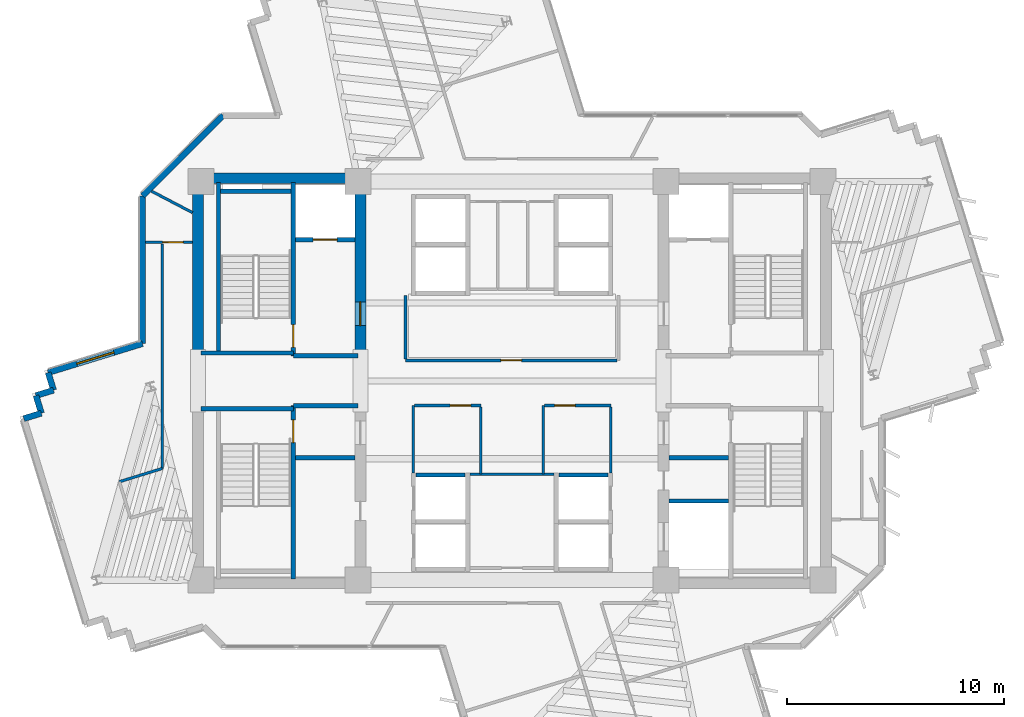
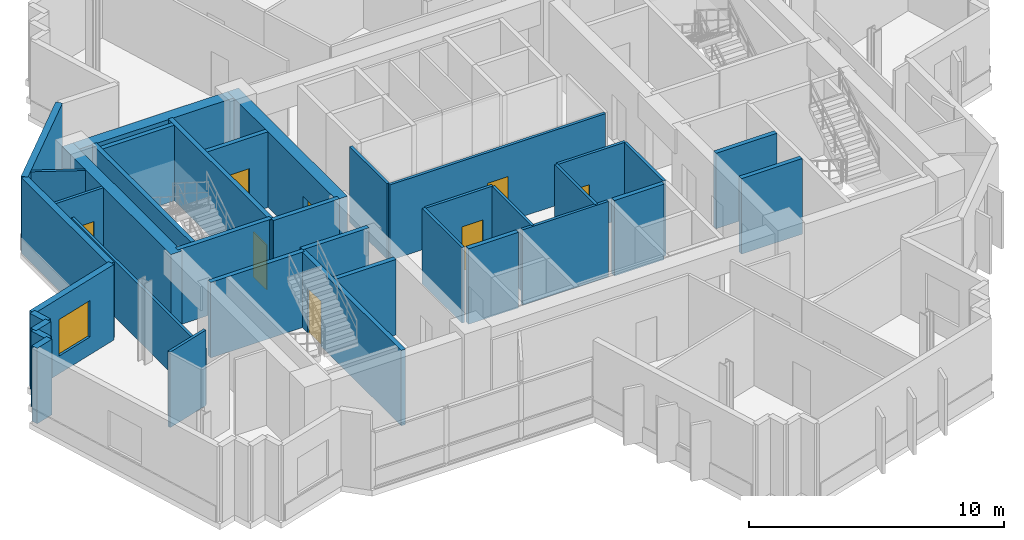
# One storey, part 6 of 13: 37 walls, 8 doors, 1 window, 9 openings.
"""IFC4 building model written with IfcOpenShell, lengths in metres."""

import ifcopenshell
import ifcopenshell.guid

model = None  # the IFC model being written
_history = None  # IfcOwnerHistory: only IFC2X3 demands one
_inside = {}  # id of a spatial element -> (the spatial element, [elements in it])
_under = {}  # id of a project, library or spatial element -> (it, [spatial elements below it])
_declared = {}  # id of a project -> (the project, [libraries it declares])
_typed = {}  # id of a type object -> (the type object, [elements of that type])
_made_of = {}  # id of a material, layer set ... -> (it, [elements and type objects made of it])


def new_model(schema):
    """Start an empty IFC model of exactly this schema.

    Asked for "IFC4X3", IfcOpenShell would pick the latest addendum, in which some entities
    have other attributes; the version numbers below select the first issue.
    IFC2X3 requires an IfcOwnerHistory on every rooted entity: one is made here for all.
    """
    global model, _history
    if schema == "IFC4X3":
        model = ifcopenshell.file(schema_version=(4, 3, 0, 0))
    else:
        model = ifcopenshell.file(schema=schema)
    _inside.clear()
    _under.clear()
    _declared.clear()
    _typed.clear()
    _made_of.clear()
    _history = None
    if model.schema == "IFC2X3":
        org = make("IfcOrganization", Name="unknown")
        user = make(
            "IfcPersonAndOrganization",
            ThePerson=make("IfcPerson", FamilyName="unknown"),
            TheOrganization=org,
        )
        app = make(
            "IfcApplication",
            ApplicationDeveloper=org,
            Version="unknown",
            ApplicationFullName="unknown",
            ApplicationIdentifier="unknown",
        )
        _history = make(
            "IfcOwnerHistory",
            OwningUser=user,
            OwningApplication=app,
            ChangeAction="ADDED",
            CreationDate=0,
        )
    return model


def make(cls, **values):
    """One entity of the class cls with the attributes given. An attribute that is None is left unset."""
    return model.create_entity(
        cls, **{name: value for name, value in values.items() if value is not None}
    )


def rooted(cls, **values):
    """An entity with a GlobalId (a new one), such as an element, a storey or a relation."""
    return make(cls, GlobalId=ifcopenshell.guid.new(), OwnerHistory=_history, **values)


def si_unit(unit_type, name, prefix=None):
    """IfcSIUnit, for example si_unit("LENGTHUNIT", "METRE", prefix="MILLI")."""
    return make("IfcSIUnit", UnitType=unit_type, Prefix=prefix, Name=name)


def assignment(units):
    """IfcUnitAssignment: the units of a project."""
    return None if units is None else make("IfcUnitAssignment", Units=units)


def point(xyz):
    """IfcCartesianPoint."""
    return None if xyz is None else make("IfcCartesianPoint", Coordinates=xyz)


def direction(xyz):
    """IfcDirection."""
    return None if xyz is None else make("IfcDirection", DirectionRatios=xyz)


def frame(location, z_axis=None, x_axis=None):
    """IfcAxis2Placement3D, a coordinate frame: its origin and axes. An axis left out is left unset."""
    return make(
        "IfcAxis2Placement3D",
        Location=point(location),
        Axis=direction(z_axis),
        RefDirection=direction(x_axis),
    )


def frame_2d(location, x_axis=None):
    """IfcAxis2Placement2D, a coordinate frame in the plane: its origin and x axis."""
    return make(
        "IfcAxis2Placement2D", Location=point(location), RefDirection=direction(x_axis)
    )


def origin():
    """The frame at (0, 0, 0) with its axes left unset."""
    return frame((0.0, 0.0, 0.0))


def place(relative_to, where):
    """IfcLocalPlacement: puts the frame where relative to a parent placement (None: the world)."""
    return make(
        "IfcLocalPlacement", PlacementRelTo=relative_to, RelativePlacement=where
    )


def context(
    kind, dimensions, precision=None, world=None, true_north=None, identifier=None
):
    """IfcGeometricRepresentationContext, for example the 3D "Model" context."""
    return make(
        "IfcGeometricRepresentationContext",
        ContextIdentifier=identifier,
        ContextType=kind,
        CoordinateSpaceDimension=dimensions,
        Precision=precision,
        WorldCoordinateSystem=world,
        TrueNorth=true_north,
    )


def subcontext(parent, identifier, kind, view, scale=None):
    """IfcGeometricRepresentationSubContext, for example "Body" below "Model"."""
    return make(
        "IfcGeometricRepresentationSubContext",
        ContextIdentifier=identifier,
        ContextType=kind,
        ParentContext=parent,
        TargetScale=scale,
        TargetView=view,
    )


def project(units=None, contexts=None):
    """IfcProject with its units and contexts."""
    return rooted(
        "IfcProject",
        Name="project",
        RepresentationContexts=contexts,
        UnitsInContext=assignment(units),
    )


def spatial(cls, under=None, at=None, **own):
    """A site, building, storey or space (cls), placed at a placement, below another one or the project."""
    s = rooted(cls, ObjectPlacement=at, **own)
    if under is not None:
        _under.setdefault(under.id(), (under, []))[1].append(s)
    return s


def profile(cls, at=None, kind="AREA", **sizes):
    """A parametric profile (cls). Its sizes go by their IFC names, for example OverallWidth=200.0."""
    return make(cls, ProfileType=kind, Position=at, **sizes)


def rectangle(**sizes):
    """IfcRectangleProfileDef."""
    return profile("IfcRectangleProfileDef", **sizes)


def extrude(swept, where, along, depth):
    """IfcExtrudedAreaSolid: the profile swept, set in the frame where, extruded along a direction by depth."""
    return make(
        "IfcExtrudedAreaSolid",
        SweptArea=swept,
        Position=where,
        ExtrudedDirection=direction(along),
        Depth=depth,
    )


def shape(context_of_items, identifier, shape_type, items):
    """IfcShapeRepresentation: the items that make up one representation, for example the "Body"."""
    return make(
        "IfcShapeRepresentation",
        ContextOfItems=context_of_items,
        RepresentationIdentifier=identifier,
        RepresentationType=shape_type,
        Items=items,
    )


def source(mapping_origin, context_of_items, identifier, shape_type, items):
    """IfcRepresentationMap: a shape defined once, which mapped items show again and again."""
    return make(
        "IfcRepresentationMap",
        MappingOrigin=mapping_origin,
        MappedRepresentation=shape(context_of_items, identifier, shape_type, items),
    )


def transform(
    local_origin,
    x_axis=None,
    y_axis=None,
    z_axis=None,
    scale=None,
    scale2=None,
    scale3=None,
    uniform=True,
):
    """IfcCartesianTransformationOperator3D, or its non-uniform kind. x_axis, y_axis, z_axis: its Axis1, 2, 3."""
    if uniform:
        return make(
            "IfcCartesianTransformationOperator3D",
            Axis1=direction(x_axis),
            Axis2=direction(y_axis),
            LocalOrigin=point(local_origin),
            Scale=scale,
            Axis3=direction(z_axis),
        )
    return make(
        "IfcCartesianTransformationOperator3DnonUniform",
        Axis1=direction(x_axis),
        Axis2=direction(y_axis),
        LocalOrigin=point(local_origin),
        Scale=scale,
        Axis3=direction(z_axis),
        Scale2=scale2,
        Scale3=scale3,
    )


def mapped(mapping_source, mapping_target):
    """IfcMappedItem: shows the shape of a source again, moved by a transform."""
    return make(
        "IfcMappedItem", MappingSource=mapping_source, MappingTarget=mapping_target
    )


def material(Name=None, Category=None):
    """IfcMaterial."""
    return make("IfcMaterial", Name=Name, Category=Category)


def layer(
    of_material, thickness, ventilated=None, Name=None, Category=None, Priority=None
):
    """IfcMaterialLayer: one layer of a wall or slab, of a material (None: an air gap)."""
    return make(
        "IfcMaterialLayer",
        Material=of_material,
        LayerThickness=thickness,
        IsVentilated=ventilated,
        Name=Name,
        Category=Category,
        Priority=Priority,
    )


def layer_set(layers, Name=None):
    """IfcMaterialLayerSet."""
    return make("IfcMaterialLayerSet", MaterialLayers=layers, LayerSetName=Name)


def made_of(thing, what):
    """Note that an element or type object is made of a material, layer set ...; save() writes the relation."""
    if what is not None:
        _made_of.setdefault(what.id(), (what, []))[1].append(thing)
    return thing


def type_object(cls, material=None, **own):
    """A type object (cls), such as IfcWallType, which elements share."""
    return made_of(rooted(cls, **own), material)


def element(
    cls,
    number,
    at=None,
    inside=None,
    cuts=None,
    type_object=None,
    material=None,
    context=None,
    identifier="Body",
    shape_type=None,
    held_by="IfcProductDefinitionShape",
    body=None,
    shapes=None,
    **own,
):
    """One element of the class cls, such as IfcWall. Its Tag is "e" and its number.

    at: its placement. inside: the storey or other place that contains it. cuts: it is an
    opening in that element (IfcRelVoidsElement). A single representation is given by context,
    identifier, shape_type and body (its items); several are given by shapes. held_by: the class
    of the entity that holds the representations. save() writes the other relations.
    """
    e = rooted(cls, Tag="e%d" % number, ObjectPlacement=at, **own)
    if body is not None:
        shapes = [shape(context, identifier, shape_type, body)]
    if shapes is not None:
        e.Representation = make(held_by, Representations=shapes)
    if inside is not None:
        _inside.setdefault(inside.id(), (inside, []))[1].append(e)
    if cuts is not None:
        rooted(
            "IfcRelVoidsElement", RelatingBuildingElement=cuts, RelatedOpeningElement=e
        )
    if type_object is not None:
        _typed.setdefault(type_object.id(), (type_object, []))[1].append(e)
    return made_of(e, material)


def fill(opening, filler):
    """IfcRelFillsElement: the door or window that sits in an opening."""
    return rooted(
        "IfcRelFillsElement",
        RelatingOpeningElement=opening,
        RelatedBuildingElement=filler,
    )


def aggregate(whole, parts):
    """IfcRelAggregates: a whole, such as a stair, and the parts it consists of."""
    return rooted("IfcRelAggregates", RelatingObject=whole, RelatedObjects=parts)


def save(model, path):
    """Write the relations noted so far, then the file.

    IfcRelAggregates (storeys below a building ...), IfcRelContainedInSpatialStructure (elements
    in a storey), IfcRelDefinesByType, IfcRelAssociatesMaterial and IfcRelDeclares: one each for
    every whole, place, type object, material and project.
    """
    for whole, parts in _under.values():
        aggregate(whole, parts)
    for where, things in _inside.values():
        rooted(
            "IfcRelContainedInSpatialStructure",
            RelatedElements=things,
            RelatingStructure=where,
        )
    for kind, things in _typed.values():
        rooted("IfcRelDefinesByType", RelatedObjects=things, RelatingType=kind)
    for what, things in _made_of.values():
        rooted("IfcRelAssociatesMaterial", RelatedObjects=things, RelatingMaterial=what)
    for by, libraries in _declared.values():
        rooted("IfcRelDeclares", RelatingContext=by, RelatedDefinitions=libraries)
    model.write(path)


model = new_model("IFC4")

# Units and contexts
model_context = context("Model", 3, precision=1e-05, world=origin(), true_north=direction((0.0, 1.0)))
body_context = subcontext(model_context, "Body", "Model", "MODEL_VIEW")
ifc_project = project(units=[si_unit("LENGTHUNIT", "METRE"), si_unit("AREAUNIT", "SQUARE_METRE"), si_unit("VOLUMEUNIT", "CUBIC_METRE"), si_unit("PLANEANGLEUNIT", "RADIAN"), si_unit("MASSUNIT", "GRAM", prefix="KILO")], contexts=[model_context])

# Site, building, storey
site_placement = place(None, origin())
site = spatial("IfcSite", under=ifc_project, at=site_placement, CompositionType="ELEMENT")
building_placement = place(site_placement, origin())
building = spatial("IfcBuilding", under=site, at=building_placement, Name="Zahravan Cultural Tower", CompositionType="ELEMENT")
storey_placement = place(building_placement, frame((0.0, 0.0, 217.5)))
storey = spatial("IfcBuildingStorey", under=building, at=storey_placement, Name="L51", CompositionType="ELEMENT", Elevation=217.5)

# Wall, opening, door
ifc_material_1 = material(Name="Concrete C60/75", Category="concrete")
ifc_layer_1 = layer(ifc_material_1, 0.5)
ifc_layer_set_1 = layer_set([ifc_layer_1], Name="Concrete C60/75")
wall_type_1 = type_object("IfcWallType", Name="CW-SHEAR-500-C60", PredefinedType="SHEAR", material=ifc_layer_set_1)
wall_1_placement = place(storey_placement, frame((29.0, 28.050048828125, 0.0), z_axis=(0.0, 0.0, 1.0), x_axis=(0.0, 1.0, 0.0)))
wall_1 = element("IfcWall", 1, at=wall_1_placement, inside=storey, type_object=wall_type_1, Name="L51 Core Shear Wall CW-W-EN-L51", PredefinedType="SHEAR", context=body_context, shape_type="SweptSolid", body=[
    extrude(rectangle(XDim=8.550048828125, YDim=0.5, at=frame_2d((4.27490234375, 0.0))), origin(), (0.0, 0.0, 1.0), 3.6201171875),
])
opening_1_placement = place(wall_1_placement, frame((1.5, 0.0, 0.0)))
opening_1 = element("IfcOpeningElement", 2, at=opening_1_placement, cuts=wall_1, Name="Opening D-L51-05", PredefinedType="OPENING", context=body_context, shape_type="SweptSolid", body=[
    extrude(rectangle(XDim=1.10009765625, YDim=2.199951171875, at=frame_2d((0.550048828125, 1.10009765625))), frame((0.0, 0.260009765625, 0.0), z_axis=(0.0, -1.0, 0.0), x_axis=(1.0, 0.0, 0.0)), (0.0, 0.0, 1.0), 0.52001953125),
])
ifc_material_2 = material(Name="Steel ASTM A572 Grade 50", Category="steel")
door_type_1 = type_object("IfcDoorType", Name="DR-LOBBY-1100", OperationType="NOTDEFINED", PredefinedType="DOOR", material=ifc_material_2)
shared_shape_1 = source(origin(), body_context, "Body", "SweptSolid", [
    extrude(rectangle(XDim=1.10009765625, YDim=2.199951171875, at=frame_2d((0.550048828125, 1.10009765625))), frame((0.0, 0.02490234375, 0.0), z_axis=(0.0, -1.0, 0.0), x_axis=(1.0, 0.0, 0.0)), (0.0, 0.0, 1.0), 0.050048828125),
])
door_1_placement = place(opening_1_placement, origin())
door_1 = element("IfcDoor", 3, at=door_1_placement, inside=storey, type_object=door_type_1, Name="L51 Door D-L51-05", OperationType="SINGLE_SWING_RIGHT", OverallHeight=2.199951171875, OverallWidth=1.10009765625, PredefinedType="DOOR", context=body_context, shape_type="MappedRepresentation", body=[
    mapped(shared_shape_1, transform((0.0, 0.0, 0.0), x_axis=(1.0, 0.0, 0.0), y_axis=(0.0, 1.0, 0.0), z_axis=(0.0, 0.0, 1.0), scale=1.0)),
])
fill(opening_1, door_1)

# Wall, opening, window
ifc_material_3 = material(Name="Precast concrete C40/50", Category="concrete")
ifc_layer_2 = layer(ifc_material_3, 0.280029296875)
ifc_layer_set_2 = layer_set([ifc_layer_2], Name="Precast concrete C40/50")
wall_type_2 = type_object("IfcWallType", Name="EW-TC-280", PredefinedType="SOLIDWALL", material=ifc_layer_set_2)
wall_2_placement = place(storey_placement, frame((14.581787109375, 27.37890625, 0.0), z_axis=(0.0, 0.0, 1.0), x_axis=(0.955788269664, 0.294055749089, 0.0)))
wall_2 = element("IfcWall", 4, at=wall_2_placement, inside=storey, type_object=wall_type_2, Name="L51 Exterior Masonry Frame Wall 37", PredefinedType="SOLIDWALL", context=body_context, shape_type="SweptSolid", body=[
    extrude(rectangle(XDim=4.559814453125, YDim=0.280029296875, at=frame_2d((2.27978515625, 0.0))), origin(), (0.0, 0.0, 1.0), 3.6201171875),
])
opening_2_placement = place(wall_2_placement, frame((1.3798828125, 0.0, 0.85009765625)))
opening_2 = element("IfcOpeningElement", 5, at=opening_2_placement, cuts=wall_2, Name="Opening WN-02", PredefinedType="OPENING", context=body_context, shape_type="SweptSolid", body=[
    extrude(rectangle(XDim=1.800048828125, YDim=1.75, at=frame_2d((0.89990234375, 0.875))), frame((0.0, 0.14990234375, 0.0), z_axis=(0.0, -1.0, 0.0), x_axis=(1.0, 0.0, 0.0)), (0.0, 0.0, 1.0), 0.300048828125),
])
ifc_material_4 = material(Name="Low-E solar-control double glazing", Category="glass")
window_type = type_object("IfcWindowType", Name="WN-REC-1800X1750", PartitioningType="DOUBLE_PANEL_VERTICAL", PredefinedType="WINDOW", material=ifc_material_4)
shared_shape_2 = source(origin(), body_context, "Body", "SweptSolid", [
    extrude(rectangle(XDim=1.800048828125, YDim=1.75, at=frame_2d((0.89990234375, 0.875))), frame((0.0, 0.030029296875, 0.0), z_axis=(0.0, -1.0, 0.0), x_axis=(1.0, 0.0, 0.0)), (0.0, 0.0, 1.0), 0.06005859375),
])
window_placement = place(opening_2_placement, origin())
window = element("IfcWindow", 6, at=window_placement, inside=storey, type_object=window_type, Name="L51 Recessed Solar Window 08", OverallHeight=1.75, OverallWidth=1.800048828125, PartitioningType="DOUBLE_PANEL_VERTICAL", PredefinedType="WINDOW", context=body_context, shape_type="MappedRepresentation", body=[
    mapped(shared_shape_2, transform((0.0, 0.0, 0.0), x_axis=(1.0, 0.0, 0.0), y_axis=(0.0, 1.0, 0.0), z_axis=(0.0, 0.0, 1.0), scale=1.0)),
])
fill(opening_2, window)

# Wall, opening, door
ifc_material_5 = material(Name="Gypsum plasterboard partition")
ifc_layer_3 = layer(ifc_material_5, 0.125)
ifc_layer_set_3 = layer_set([ifc_layer_3], Name="Gypsum plasterboard partition")
wall_type_3 = type_object("IfcWallType", Name="W-PART-125", PredefinedType="PARTITIONING", material=ifc_layer_set_3)
wall_3_placement = place(storey_placement, frame((31.507568359375, 25.860107421875, 0.0), z_axis=(0.0, 0.0, 1.0), x_axis=(1.0, 0.0, 0.0)))
wall_3 = element("IfcWall", 7, at=wall_3_placement, inside=storey, type_object=wall_type_3, Name="L51 Interior Wall 067", PredefinedType="PARTITIONING", context=body_context, shape_type="SweptSolid", body=[
    extrude(rectangle(XDim=3.052490234375, YDim=0.125, at=frame_2d((1.5263671875, 0.0))), origin(), (0.0, 0.0, 1.0), 3.6201171875),
])
opening_3_placement = place(wall_3_placement, frame((1.639892578125, 0.0, 0.0)))
opening_3 = element("IfcOpeningElement", 8, at=opening_3_placement, cuts=wall_3, Name="Opening D-L51-11", PredefinedType="OPENING", context=body_context, shape_type="SweptSolid", body=[
    extrude(rectangle(XDim=0.949951171875, YDim=2.14990234375, at=frame_2d((0.47509765625, 1.074951171875))), frame((0.0, 0.072509765625, 0.0), z_axis=(0.0, -1.0, 0.0), x_axis=(1.0, 0.0, 0.0)), (0.0, 0.0, 1.0), 0.14501953125),
])
ifc_material_6 = material(Name="Anodised bronze-aluminium mullion", Category="aluminium")
door_type_2 = type_object("IfcDoorType", Name="DR-ROOM-950", OperationType="NOTDEFINED", PredefinedType="DOOR", material=ifc_material_6)
shared_shape_3 = source(origin(), body_context, "Body", "SweptSolid", [
    extrude(rectangle(XDim=0.949951171875, YDim=2.14990234375, at=frame_2d((0.47509765625, 1.074951171875))), frame((0.0, 0.02490234375, 0.0), z_axis=(0.0, -1.0, 0.0), x_axis=(1.0, 0.0, 0.0)), (0.0, 0.0, 1.0), 0.050048828125),
])
door_2_placement = place(opening_3_placement, origin())
door_2 = element("IfcDoor", 9, at=door_2_placement, inside=storey, type_object=door_type_2, Name="L51 Door D-L51-11", OperationType="SINGLE_SWING_RIGHT", OverallHeight=2.14990234375, OverallWidth=0.949951171875, PredefinedType="DOOR", context=body_context, shape_type="MappedRepresentation", body=[
    mapped(shared_shape_3, transform((0.0, 0.0, 0.0), x_axis=(1.0, 0.0, 0.0), y_axis=(0.0, 1.0, 0.0), z_axis=(0.0, 0.0, 1.0), scale=1.0)),
])
fill(opening_3, door_2)

wall_4_placement = place(storey_placement, frame((37.507568359375, 25.860107421875, 0.0), z_axis=(0.0, 0.0, 1.0), x_axis=(1.0, 0.0, 0.0)))
wall_4 = element("IfcWall", 10, at=wall_4_placement, inside=storey, type_object=wall_type_3, Name="L51 Interior Wall 070", PredefinedType="PARTITIONING", context=body_context, shape_type="SweptSolid", body=[
    extrude(rectangle(XDim=3.052490234375, YDim=0.125, at=frame_2d((1.5263671875, 0.0))), origin(), (0.0, 0.0, 1.0), 3.6201171875),
])
opening_4_placement = place(wall_4_placement, frame((0.462646484375, 0.0, 0.0)))
opening_4 = element("IfcOpeningElement", 11, at=opening_4_placement, cuts=wall_4, Name="Opening D-L51-12", PredefinedType="OPENING", context=body_context, shape_type="SweptSolid", body=[
    extrude(rectangle(XDim=0.949951171875, YDim=2.14990234375, at=frame_2d((0.47509765625, 1.074951171875))), frame((0.0, 0.072509765625, 0.0), z_axis=(0.0, -1.0, 0.0), x_axis=(1.0, 0.0, 0.0)), (0.0, 0.0, 1.0), 0.14501953125),
])
door_3_placement = place(opening_4_placement, origin())
door_3 = element("IfcDoor", 12, at=door_3_placement, inside=storey, type_object=door_type_2, Name="L51 Door D-L51-12", OperationType="SINGLE_SWING_LEFT", OverallHeight=2.14990234375, OverallWidth=0.949951171875, PredefinedType="DOOR", context=body_context, shape_type="MappedRepresentation", body=[
    mapped(shared_shape_3, transform((0.0, 0.0, 0.0), x_axis=(1.0, 0.0, 0.0), y_axis=(0.0, 1.0, 0.0), z_axis=(0.0, 0.0, 1.0), scale=1.0)),
])
fill(opening_4, door_3)

wall_5_placement = place(storey_placement, frame((40.8525390625, 27.93994140625, 0.0), z_axis=(0.0, 0.0, 1.0), x_axis=(-1.0, 0.0, 0.0)))
wall_5 = element("IfcWall", 13, at=wall_5_placement, inside=storey, type_object=wall_type_3, Name="L51 Interior Wall 088", PredefinedType="PARTITIONING", context=body_context, shape_type="SweptSolid", body=[
    extrude(rectangle(XDim=9.7724609375, YDim=0.125, at=frame_2d((4.88623046875, 0.0))), origin(), (0.0, 0.0, 1.0), 3.6201171875),
])
opening_5_placement = place(wall_5_placement, frame((4.411376953125, 0.0, 0.0)))
opening_5 = element("IfcOpeningElement", 14, at=opening_5_placement, cuts=wall_5, Name="Opening D-L51-16", PredefinedType="OPENING", context=body_context, shape_type="SweptSolid", body=[
    extrude(rectangle(XDim=0.949951171875, YDim=2.14990234375, at=frame_2d((0.47509765625, 1.074951171875))), frame((0.0, 0.072509765625, 0.0), z_axis=(0.0, -1.0, 0.0), x_axis=(1.0, 0.0, 0.0)), (0.0, 0.0, 1.0), 0.14501953125),
])
door_4_placement = place(opening_5_placement, origin())
door_4 = element("IfcDoor", 15, at=door_4_placement, inside=storey, type_object=door_type_2, Name="L51 Door D-L51-16", OperationType="SINGLE_SWING_LEFT", OverallHeight=2.14990234375, OverallWidth=0.949951171875, PredefinedType="DOOR", context=body_context, shape_type="MappedRepresentation", body=[
    mapped(shared_shape_3, transform((0.0, 0.0, 0.0), x_axis=(1.0, 0.0, 0.0), y_axis=(0.0, 1.0, 0.0), z_axis=(0.0, 0.0, 1.0), scale=1.0)),
])
fill(opening_5, door_4)

wall_6_placement = place(storey_placement, frame((21.2451171875, 33.39990234375, 0.0), z_axis=(0.0, 0.0, 1.0), x_axis=(-0.999994277874, -0.003382930575, 0.0)))
wall_6 = element("IfcWall", 16, at=wall_6_placement, inside=storey, type_object=wall_type_3, Name="L51 Interior Wall 107", PredefinedType="PARTITIONING", context=body_context, shape_type="SweptSolid", body=[
    extrude(rectangle(XDim=2.1650390625, YDim=0.125, at=frame_2d((1.08251953125, 0.0))), origin(), (0.0, 0.0, 1.0), 3.6201171875),
])
opening_6_placement = place(wall_6_placement, frame((0.42529296875, 0.0, 0.0)))
opening_6 = element("IfcOpeningElement", 17, at=opening_6_placement, cuts=wall_6, Name="Opening D-L51-24", PredefinedType="OPENING", context=body_context, shape_type="SweptSolid", body=[
    extrude(rectangle(XDim=0.949951171875, YDim=2.14990234375, at=frame_2d((0.47509765625, 1.074951171875))), frame((0.0, 0.072509765625, 0.0), z_axis=(0.0, -1.0, 0.0), x_axis=(1.0, 0.0, 0.0)), (0.0, 0.0, 1.0), 0.14501953125),
])
door_5_placement = place(opening_6_placement, origin())
door_5 = element("IfcDoor", 18, at=door_5_placement, inside=storey, type_object=door_type_2, Name="L51 Door D-L51-24", OperationType="SINGLE_SWING_LEFT", OverallHeight=2.14990234375, OverallWidth=0.949951171875, PredefinedType="DOOR", context=body_context, shape_type="MappedRepresentation", body=[
    mapped(shared_shape_3, transform((0.0, 0.0, 0.0), x_axis=(1.0, 0.0, 0.0), y_axis=(0.0, 1.0, 0.0), z_axis=(0.0, 0.0, 1.0), scale=1.0)),
])
fill(opening_6, door_5)

ifc_material_7 = material(Name="Concrete C45/55", Category="concrete")
ifc_layer_4 = layer(ifc_material_7, 0.199951171875)
ifc_layer_set_4 = layer_set([ifc_layer_4], Name="Concrete C45/55")
wall_type_4 = type_object("IfcWallType", Name="W-SHAFT-200", PredefinedType="SOLIDWALL", material=ifc_layer_set_4)
wall_7_placement = place(storey_placement, frame((25.89990234375, 17.85009765625, 0.0), z_axis=(0.0, 0.0, 1.0), x_axis=(0.0, 1.0, 0.0)))
wall_7 = element("IfcWall", 19, at=wall_7_placement, inside=storey, type_object=wall_type_4, Name="L51 Interior Wall 005", PredefinedType="SOLIDWALL", context=body_context, shape_type="SweptSolid", body=[
    extrude(rectangle(XDim=8.0, YDim=0.199951171875, at=frame_2d((4.0, 0.0))), origin(), (0.0, 0.0, 1.0), 3.6201171875),
])
opening_7_placement = place(wall_7_placement, frame((6.300048828125, 0.0, 0.0)))
opening_7 = element("IfcOpeningElement", 20, at=opening_7_placement, cuts=wall_7, Name="Opening D-L51-04", PredefinedType="OPENING", context=body_context, shape_type="SweptSolid", body=[
    extrude(rectangle(XDim=1.050048828125, YDim=2.14990234375, at=frame_2d((0.52490234375, 1.074951171875))), frame((0.0, 0.10986328125, 0.0), z_axis=(0.0, -1.0, 0.0), x_axis=(1.0, 0.0, 0.0)), (0.0, 0.0, 1.0), 0.219970703125),
])
door_type_3 = type_object("IfcDoorType", Name="DR-STAIR-1050", OperationType="NOTDEFINED", PredefinedType="DOOR", material=ifc_material_2)
shared_shape_4 = source(origin(), body_context, "Body", "SweptSolid", [
    extrude(rectangle(XDim=1.050048828125, YDim=2.14990234375, at=frame_2d((0.52490234375, 1.074951171875))), frame((0.0, 0.02490234375, 0.0), z_axis=(0.0, -1.0, 0.0), x_axis=(1.0, 0.0, 0.0)), (0.0, 0.0, 1.0), 0.050048828125),
])
door_6_placement = place(opening_7_placement, origin())
door_6 = element("IfcDoor", 21, at=door_6_placement, inside=storey, type_object=door_type_3, Name="L51 Door D-L51-04", OperationType="SINGLE_SWING_LEFT", OverallHeight=2.14990234375, OverallWidth=1.050048828125, PredefinedType="DOOR", context=body_context, shape_type="MappedRepresentation", body=[
    mapped(shared_shape_4, transform((0.0, 0.0, 0.0), x_axis=(1.0, 0.0, 0.0), y_axis=(0.0, 1.0, 0.0), z_axis=(0.0, 0.0, 1.0), scale=1.0)),
])
fill(opening_7, door_6)

wall_8_placement = place(storey_placement, frame((25.89990234375, 28.14990234375, 0.0), z_axis=(0.0, 0.0, 1.0), x_axis=(0.0, 1.0, 0.0)))
wall_8 = element("IfcWall", 22, at=wall_8_placement, inside=storey, type_object=wall_type_4, Name="L51 Interior Wall 006", PredefinedType="SOLIDWALL", context=body_context, shape_type="SweptSolid", body=[
    extrude(rectangle(XDim=8.0, YDim=0.199951171875, at=frame_2d((4.0, 0.0))), origin(), (0.0, 0.0, 1.0), 3.6201171875),
])
opening_8_placement = place(wall_8_placement, frame((0.39990234375, 0.0, 0.0)))
opening_8 = element("IfcOpeningElement", 23, at=opening_8_placement, cuts=wall_8, Name="Opening D-L51-01", PredefinedType="OPENING", context=body_context, shape_type="SweptSolid", body=[
    extrude(rectangle(XDim=1.050048828125, YDim=2.14990234375, at=frame_2d((0.52490234375, 1.074951171875))), frame((0.0, 0.10986328125, 0.0), z_axis=(0.0, -1.0, 0.0), x_axis=(1.0, 0.0, 0.0)), (0.0, 0.0, 1.0), 0.219970703125),
])
door_7_placement = place(opening_8_placement, origin())
door_7 = element("IfcDoor", 24, at=door_7_placement, inside=storey, type_object=door_type_3, Name="L51 Door D-L51-01", OperationType="SINGLE_SWING_RIGHT", OverallHeight=2.14990234375, OverallWidth=1.050048828125, PredefinedType="DOOR", context=body_context, shape_type="MappedRepresentation", body=[
    mapped(shared_shape_4, transform((0.0, 0.0, 0.0), x_axis=(1.0, 0.0, 0.0), y_axis=(0.0, 1.0, 0.0), z_axis=(0.0, 0.0, 1.0), scale=1.0)),
])
fill(opening_8, door_7)

wall_9_placement = place(storey_placement, frame((26.0, 33.52001953125, 0.0), z_axis=(0.0, 0.0, 1.0), x_axis=(1.0, 0.0, 0.0)))
wall_9 = element("IfcWall", 25, at=wall_9_placement, inside=storey, type_object=wall_type_4, Name="L51 Interior Wall 021", PredefinedType="SOLIDWALL", context=body_context, shape_type="SweptSolid", body=[
    extrude(rectangle(XDim=2.75, YDim=0.199951171875, at=frame_2d((1.375, 0.0))), origin(), (0.0, 0.0, 1.0), 3.6201171875),
])
opening_9_placement = place(wall_9_placement, frame((0.820068359375, 0.0, 0.0)))
opening_9 = element("IfcOpeningElement", 26, at=opening_9_placement, cuts=wall_9, Name="Opening LD-L51-01", PredefinedType="OPENING", context=body_context, shape_type="SweptSolid", body=[
    extrude(rectangle(XDim=1.10009765625, YDim=2.14990234375, at=frame_2d((0.550048828125, 1.074951171875))), frame((0.0, 0.10986328125, 0.0), z_axis=(0.0, -1.0, 0.0), x_axis=(1.0, 0.0, 0.0)), (0.0, 0.0, 1.0), 0.219970703125),
])
door_type_4 = type_object("IfcDoorType", Name="DR-LIFT-1100", OperationType="DOUBLE_DOOR_SLIDING", PredefinedType="DOOR", material=ifc_material_2)
shared_shape_5 = source(origin(), body_context, "Body", "SweptSolid", [
    extrude(rectangle(XDim=1.10009765625, YDim=2.14990234375, at=frame_2d((0.550048828125, 1.074951171875))), frame((0.0, 0.02490234375, 0.0), z_axis=(0.0, -1.0, 0.0), x_axis=(1.0, 0.0, 0.0)), (0.0, 0.0, 1.0), 0.050048828125),
])
door_8_placement = place(opening_9_placement, origin())
door_8 = element("IfcDoor", 27, at=door_8_placement, inside=storey, type_object=door_type_4, Name="L51 Door LD-L51-01", OperationType="DOUBLE_DOOR_SLIDING", OverallHeight=2.14990234375, OverallWidth=1.10009765625, PredefinedType="DOOR", context=body_context, shape_type="MappedRepresentation", body=[
    mapped(shared_shape_5, transform((0.0, 0.0, 0.0), x_axis=(1.0, 0.0, 0.0), y_axis=(0.0, 1.0, 0.0), z_axis=(0.0, 0.0, 1.0), scale=1.0)),
])
fill(opening_9, door_8)

# Walls
shared_shape_6 = source(origin(), body_context, "Body", "SweptSolid", [
    extrude(rectangle(XDim=8.550048828125, YDim=0.5, at=frame_2d((4.27490234375, 0.0))), origin(), (0.0, 0.0, 1.0), 3.6201171875),
])
wall_10_placement = place(storey_placement, frame((21.5, 28.050048828125, 0.0), z_axis=(0.0, 0.0, 1.0), x_axis=(0.0, 1.0, 0.0)))
element("IfcWall", 28, at=wall_10_placement, inside=storey, type_object=wall_type_1, Name="L51 Core Shear Wall CW-W-WN-L51", PredefinedType="SHEAR", context=body_context, shape_type="MappedRepresentation", body=[
    mapped(shared_shape_6, transform((0.0, 0.0, 0.0), x_axis=(1.0, 0.0, 0.0), y_axis=(0.0, 1.0, 0.0), z_axis=(0.0, 0.0, 1.0), scale=1.0)),
])
shared_shape_7 = source(origin(), body_context, "Body", "SweptSolid", [
    extrude(rectangle(XDim=7.0, YDim=0.5, at=frame_2d((3.5, 0.0))), origin(), (0.0, 0.0, 1.0), 3.6201171875),
])
wall_11_placement = place(storey_placement, frame((21.75, 36.35009765625, 0.0), z_axis=(0.0, 0.0, 1.0), x_axis=(1.0, 0.0, 0.0)))
element("IfcWall", 29, at=wall_11_placement, inside=storey, type_object=wall_type_1, Name="L51 Core Shear Wall CW-W-N-L51", PredefinedType="SHEAR", context=body_context, shape_type="MappedRepresentation", body=[
    mapped(shared_shape_7, transform((0.0, 0.0, 0.0), x_axis=(1.0, 0.0, 0.0), y_axis=(0.0, 1.0, 0.0), z_axis=(0.0, 0.0, 1.0), scale=1.0)),
])
shared_shape_8 = source(origin(), body_context, "Body", "SweptSolid", [
    extrude(rectangle(XDim=0.85009765625, YDim=0.280029296875, at=frame_2d((0.425048828125, 0.0))), origin(), (0.0, 0.0, 1.0), 3.6201171875),
])
for number, where, z_axis, x_axis, name in (
    (30, (13.456787109375, 25.254150390625, 0.0), (0.0, 0.0, 1.0), (0.955779008722, 0.294085848838, 0.0), "L51 Exterior Masonry Frame Wall 33"),
    (31, (14.019287109375, 26.31640625, 0.0), (0.0, 0.0, 1.0), (0.955779008722, 0.294085848838, 0.0), "L51 Exterior Masonry Frame Wall 35"),
    (32, (14.831787109375, 26.56640625, 0.0), (0.0, 0.0, 1.0), (-0.294085848838, 0.955779008722, 0.0), "L51 Exterior Masonry Frame Wall 36"),
):
    element("IfcWall", number, at=place(storey_placement, frame(where, z_axis=z_axis, x_axis=x_axis)), inside=storey, type_object=wall_type_2, Name=name, PredefinedType="SOLIDWALL", context=body_context, shape_type="MappedRepresentation", body=[
        mapped(shared_shape_8, transform((0.0, 0.0, 0.0), x_axis=(1.0, 0.0, 0.0), y_axis=(0.0, 1.0, 0.0), z_axis=(0.0, 0.0, 1.0), scale=1.0)),
    ])
shared_shape_9 = source(origin(), body_context, "Body", "SweptSolid", [
    extrude(rectangle(XDim=5.258056640625, YDim=0.280029296875, at=frame_2d((2.62890625, 0.0))), origin(), (0.0, 0.0, 1.0), 3.6201171875),
])
wall_12_placement = place(storey_placement, frame((18.93994140625, 35.5419921875, 0.0), z_axis=(0.0, 0.0, 1.0), x_axis=(0.707106781187, 0.707106781187, 0.0)))
element("IfcWall", 33, at=wall_12_placement, inside=storey, type_object=wall_type_2, Name="L51 Exterior Masonry Frame Wall 39", PredefinedType="SOLIDWALL", context=body_context, shape_type="MappedRepresentation", body=[
    mapped(shared_shape_9, transform((0.0, 0.0, 0.0), x_axis=(1.0, 0.0, 0.0), y_axis=(0.0, 1.0, 0.0), z_axis=(0.0, 0.0, 1.0), scale=1.0)),
])
shared_shape_10 = source(origin(), body_context, "Body", "SweptSolid", [
    extrude(rectangle(XDim=0.849853515625, YDim=0.280029296875, at=frame_2d((0.4248046875, 0.0))), origin(), (0.0, 0.0, 1.0), 3.6201171875),
])
wall_13_placement = place(storey_placement, frame((14.269287109375, 25.504150390625, 0.0), z_axis=(0.0, 0.0, 1.0), x_axis=(-0.294166594531, 0.95575416016, 0.0)))
element("IfcWall", 34, at=wall_13_placement, inside=storey, type_object=wall_type_2, Name="L51 Exterior Masonry Frame Wall 34", PredefinedType="SOLIDWALL", context=body_context, shape_type="MappedRepresentation", body=[
    mapped(shared_shape_10, transform((0.0, 0.0, 0.0), x_axis=(1.0, 0.0, 0.0), y_axis=(0.0, 1.0, 0.0), z_axis=(0.0, 0.0, 1.0), scale=1.0)),
])
shared_shape_11 = source(origin(), body_context, "Body", "SweptSolid", [
    extrude(rectangle(XDim=6.822265625, YDim=0.280029296875, at=frame_2d((3.4111328125, 0.0))), origin(), (0.0, 0.0, 1.0), 3.6201171875),
])
wall_14_placement = place(storey_placement, frame((18.93994140625, 28.7197265625, 0.0), z_axis=(0.0, 0.0, 1.0), x_axis=(0.0, 1.0, 0.0)))
element("IfcWall", 35, at=wall_14_placement, inside=storey, type_object=wall_type_2, Name="L51 Exterior Masonry Frame Wall 38", PredefinedType="SOLIDWALL", context=body_context, shape_type="MappedRepresentation", body=[
    mapped(shared_shape_11, transform((0.0, 0.0, 0.0), x_axis=(1.0, 0.0, 0.0), y_axis=(0.0, 1.0, 0.0), z_axis=(0.0, 0.0, 1.0), scale=1.0)),
])
shared_shape_12 = source(origin(), body_context, "Body", "SweptSolid", [
    extrude(rectangle(XDim=7.869873046875, YDim=0.199951171875, at=frame_2d((3.93505859375, 0.0))), origin(), (0.0, 0.0, 1.0), 3.6201171875),
])
wall_15_placement = place(storey_placement, frame((22.449951171875, 28.280029296875, 0.0), z_axis=(0.0, 0.0, 1.0), x_axis=(0.0, 1.0, 0.0)))
element("IfcWall", 36, at=wall_15_placement, inside=storey, type_object=wall_type_4, Name="L51 Interior Wall 002", PredefinedType="SOLIDWALL", context=body_context, shape_type="MappedRepresentation", body=[
    mapped(shared_shape_12, transform((0.0, 0.0, 0.0), x_axis=(1.0, 0.0, 0.0), y_axis=(0.0, 1.0, 0.0), z_axis=(0.0, 0.0, 1.0), scale=1.0)),
])
shared_shape_13 = source(origin(), body_context, "Body", "SweptSolid", [
    extrude(rectangle(XDim=4.25, YDim=0.199951171875, at=frame_2d((2.125, 0.0))), origin(), (0.0, 0.0, 1.0), 3.6201171875),
])
for number, where, z_axis, x_axis, name in (
    (37, (21.64990234375, 25.715087890625, 0.0), (0.0, 0.0, 1.0), (1.0, 0.0, 0.0), "L51 Interior Wall 009"),
    (38, (21.64990234375, 28.284912109375, 0.0), (0.0, 0.0, 1.0), (1.0, 0.0, 0.0), "L51 Interior Wall 011"),
):
    element("IfcWall", number, at=place(storey_placement, frame(where, z_axis=z_axis, x_axis=x_axis)), inside=storey, type_object=wall_type_4, Name=name, PredefinedType="SOLIDWALL", context=body_context, shape_type="MappedRepresentation", body=[
        mapped(shared_shape_13, transform((0.0, 0.0, 0.0), x_axis=(1.0, 0.0, 0.0), y_axis=(0.0, 1.0, 0.0), z_axis=(0.0, 0.0, 1.0), scale=1.0)),
    ])
shared_shape_14 = source(origin(), body_context, "Body", "SweptSolid", [
    extrude(rectangle(XDim=3.0, YDim=0.199951171875, at=frame_2d((1.5, 0.0))), origin(), (0.0, 0.0, 1.0), 3.6201171875),
])
for number, where, z_axis, x_axis, name in (
    (39, (25.89990234375, 25.85009765625, 0.0), (0.0, 0.0, 1.0), (1.0, 0.0, 0.0), "L51 Interior Wall 010"),
    (40, (25.89990234375, 28.14990234375, 0.0), (0.0, 0.0, 1.0), (1.0, 0.0, 0.0), "L51 Interior Wall 012"),
):
    element("IfcWall", number, at=place(storey_placement, frame(where, z_axis=z_axis, x_axis=x_axis)), inside=storey, type_object=wall_type_4, Name=name, PredefinedType="SOLIDWALL", context=body_context, shape_type="MappedRepresentation", body=[
        mapped(shared_shape_14, transform((0.0, 0.0, 0.0), x_axis=(1.0, 0.0, 0.0), y_axis=(0.0, 1.0, 0.0), z_axis=(0.0, 0.0, 1.0), scale=1.0)),
    ])
shared_shape_15 = source(origin(), body_context, "Body", "SweptSolid", [
    extrude(rectangle(XDim=3.25, YDim=0.199951171875, at=frame_2d((1.625, 0.0))), origin(), (0.0, 0.0, 1.0), 3.6201171875),
])
wall_16_placement = place(storey_placement, frame((22.550048828125, 35.75, 0.0), z_axis=(0.0, 0.0, 1.0), x_axis=(1.0, 0.0, 0.0)))
element("IfcWall", 41, at=wall_16_placement, inside=storey, type_object=wall_type_4, Name="L51 Interior Wall 017", PredefinedType="SOLIDWALL", context=body_context, shape_type="MappedRepresentation", body=[
    mapped(shared_shape_15, transform((0.0, 0.0, 0.0), x_axis=(1.0, 0.0, 0.0), y_axis=(0.0, 1.0, 0.0), z_axis=(0.0, 0.0, 1.0), scale=1.0)),
])
shared_shape_16 = source(origin(), body_context, "Body", "SweptSolid", [
    extrude(rectangle(XDim=2.75, YDim=0.199951171875, at=frame_2d((1.375, 0.0))), origin(), (0.0, 0.0, 1.0), 3.6201171875),
])
for number, where, z_axis, x_axis, name in (
    (42, (26.0, 23.449951171875, 0.0), (0.0, 0.0, 1.0), (1.0, 0.0, 0.0), "L51 Interior Wall 023"),
    (43, (43.25, 23.449951171875, 0.0), (0.0, 0.0, 1.0), (1.0, 0.0, 0.0), "L51 Interior Wall 024"),
    (44, (43.25, 21.449951171875, 0.0), (0.0, 0.0, 1.0), (1.0, 0.0, 0.0), "L51 Interior Wall 025"),
):
    element("IfcWall", number, at=place(storey_placement, frame(where, z_axis=z_axis, x_axis=x_axis)), inside=storey, type_object=wall_type_4, Name=name, PredefinedType="SOLIDWALL", context=body_context, shape_type="MappedRepresentation", body=[
        mapped(shared_shape_16, transform((0.0, 0.0, 0.0), x_axis=(1.0, 0.0, 0.0), y_axis=(0.0, 1.0, 0.0), z_axis=(0.0, 0.0, 1.0), scale=1.0)),
    ])
shared_shape_17 = source(origin(), body_context, "Body", "SweptSolid", [
    extrude(rectangle(XDim=2.260009765625, YDim=0.199951171875, at=frame_2d((1.1298828125, 0.0))), origin(), (0.0, 0.0, 1.0), 3.6201171875),
])
for number, where, z_axis, x_axis, name in (
    (45, (31.570068359375, 22.64990234375, 0.0), (0.0, 0.0, 1.0), (1.0, 0.0, 0.0), "L51 Interior Wall 043"),
    (46, (38.169921875, 22.64990234375, 0.0), (0.0, 0.0, 1.0), (1.0, 0.0, 0.0), "L51 Interior Wall 050"),
):
    element("IfcWall", number, at=place(storey_placement, frame(where, z_axis=z_axis, x_axis=x_axis)), inside=storey, type_object=wall_type_4, Name=name, PredefinedType="SOLIDWALL", context=body_context, shape_type="MappedRepresentation", body=[
        mapped(shared_shape_17, transform((0.0, 0.0, 0.0), x_axis=(1.0, 0.0, 0.0), y_axis=(0.0, 1.0, 0.0), z_axis=(0.0, 0.0, 1.0), scale=1.0)),
    ])
shared_shape_18 = source(origin(), body_context, "Body", "SweptSolid", [
    extrude(rectangle(XDim=3.110107421875, YDim=0.125, at=frame_2d((1.55517578125, 0.0))), origin(), (0.0, 0.0, 1.0), 3.6201171875),
])
wall_17_placement = place(storey_placement, frame((31.43994140625, 22.75, 0.0), z_axis=(0.0, 0.0, 1.0), x_axis=(0.0, 1.0, 0.0)))
element("IfcWall", 47, at=wall_17_placement, inside=storey, type_object=wall_type_3, Name="L51 Interior Wall 066", PredefinedType="PARTITIONING", context=body_context, shape_type="MappedRepresentation", body=[
    mapped(shared_shape_18, transform((0.0, 0.0, 0.0), x_axis=(1.0, 0.0, 0.0), y_axis=(0.0, 1.0, 0.0), z_axis=(0.0, 0.0, 1.0), scale=1.0)),
])
shared_shape_19 = source(origin(), body_context, "Body", "SweptSolid", [
    extrude(rectangle(XDim=3.1025390625, YDim=0.125, at=frame_2d((1.55126953125, 0.0))), origin(), (0.0, 0.0, 1.0), 3.6201171875),
])
wall_18_placement = place(storey_placement, frame((34.56005859375, 25.79248046875, 0.0), z_axis=(0.0, 0.0, 1.0), x_axis=(0.0, -1.0, 0.0)))
element("IfcWall", 48, at=wall_18_placement, inside=storey, type_object=wall_type_3, Name="L51 Interior Wall 068", PredefinedType="PARTITIONING", context=body_context, shape_type="MappedRepresentation", body=[
    mapped(shared_shape_19, transform((0.0, 0.0, 0.0), x_axis=(1.0, 0.0, 0.0), y_axis=(0.0, 1.0, 0.0), z_axis=(0.0, 0.0, 1.0), scale=1.0)),
])
shared_shape_20 = source(origin(), body_context, "Body", "SweptSolid", [
    extrude(rectangle(XDim=3.170166015625, YDim=0.125, at=frame_2d((1.5849609375, 0.0))), origin(), (0.0, 0.0, 1.0), 3.6201171875),
])
wall_19_placement = place(storey_placement, frame((37.43994140625, 22.68994140625, 0.0), z_axis=(0.0, 0.0, 1.0), x_axis=(0.0, 1.0, 0.0)))
element("IfcWall", 49, at=wall_19_placement, inside=storey, type_object=wall_type_3, Name="L51 Interior Wall 069", PredefinedType="PARTITIONING", context=body_context, shape_type="MappedRepresentation", body=[
    mapped(shared_shape_20, transform((0.0, 0.0, 0.0), x_axis=(1.0, 0.0, 0.0), y_axis=(0.0, 1.0, 0.0), z_axis=(0.0, 0.0, 1.0), scale=1.0)),
])
shared_shape_21 = source(origin(), body_context, "Body", "SweptSolid", [
    extrude(rectangle(XDim=3.04248046875, YDim=0.125, at=frame_2d((1.521240234375, 0.0))), origin(), (0.0, 0.0, 1.0), 3.6201171875),
])
wall_20_placement = place(storey_placement, frame((40.56005859375, 25.79248046875, 0.0), z_axis=(0.0, 0.0, 1.0), x_axis=(0.0, -1.0, 0.0)))
element("IfcWall", 50, at=wall_20_placement, inside=storey, type_object=wall_type_3, Name="L51 Interior Wall 071", PredefinedType="PARTITIONING", context=body_context, shape_type="MappedRepresentation", body=[
    mapped(shared_shape_21, transform((0.0, 0.0, 0.0), x_axis=(1.0, 0.0, 0.0), y_axis=(0.0, 1.0, 0.0), z_axis=(0.0, 0.0, 1.0), scale=1.0)),
])
shared_shape_22 = source(origin(), body_context, "Body", "SweptSolid", [
    extrude(rectangle(XDim=3.89013671875, YDim=0.125, at=frame_2d((1.945068359375, 0.0))), origin(), (0.0, 0.0, 1.0), 3.6201171875),
])
wall_21_placement = place(storey_placement, frame((34.054931640625, 22.679931640625, 0.0), z_axis=(0.0, 0.0, 1.0), x_axis=(1.0, 0.0, 0.0)))
element("IfcWall", 51, at=wall_21_placement, inside=storey, type_object=wall_type_3, Name="L51 Interior Wall 072", PredefinedType="PARTITIONING", context=body_context, shape_type="MappedRepresentation", body=[
    mapped(shared_shape_22, transform((0.0, 0.0, 0.0), x_axis=(1.0, 0.0, 0.0), y_axis=(0.0, 1.0, 0.0), z_axis=(0.0, 0.0, 1.0), scale=1.0)),
])
shared_shape_23 = source(origin(), body_context, "Body", "SweptSolid", [
    extrude(rectangle(XDim=2.9423828125, YDim=0.125, at=frame_2d((1.47119140625, 0.0))), origin(), (0.0, 0.0, 1.0), 3.6201171875),
])
wall_22_placement = place(storey_placement, frame((31.080078125, 28.007568359375, 0.0), z_axis=(0.0, 0.0, 1.0), x_axis=(0.0, 1.0, 0.0)))
element("IfcWall", 52, at=wall_22_placement, inside=storey, type_object=wall_type_3, Name="L51 Interior Wall 089", PredefinedType="PARTITIONING", context=body_context, shape_type="MappedRepresentation", body=[
    mapped(shared_shape_23, transform((0.0, 0.0, 0.0), x_axis=(1.0, 0.0, 0.0), y_axis=(0.0, 1.0, 0.0), z_axis=(0.0, 0.0, 1.0), scale=1.0)),
])
shared_shape_24 = source(origin(), body_context, "Body", "SweptSolid", [
    extrude(rectangle(XDim=2.130126953125, YDim=0.125, at=frame_2d((1.06494140625, 0.0))), origin(), (0.0, 0.0, 1.0), 3.6201171875),
])
wall_23_placement = place(storey_placement, frame((21.2451171875, 34.76708984375, 0.0), z_axis=(0.0, 0.0, 1.0), x_axis=(-0.885975067717, 0.46373287503, 0.0)))
element("IfcWall", 53, at=wall_23_placement, inside=storey, type_object=wall_type_3, Name="L51 Interior Wall 102", PredefinedType="PARTITIONING", context=body_context, shape_type="MappedRepresentation", body=[
    mapped(shared_shape_24, transform((0.0, 0.0, 0.0), x_axis=(1.0, 0.0, 0.0), y_axis=(0.0, 1.0, 0.0), z_axis=(0.0, 0.0, 1.0), scale=1.0)),
])
shared_shape_25 = source(origin(), body_context, "Body", "SweptSolid", [
    extrude(rectangle(XDim=10.375244140625, YDim=0.125, at=frame_2d((5.1875, 0.0))), origin(), (0.0, 0.0, 1.0), 2.693115234375),
])
wall_24_placement = place(storey_placement, frame((19.851318359375, 33.32763671875, 0.0), z_axis=(0.0, 0.0, 1.0), x_axis=(-0.000117655363, -0.999999993079, 0.0)))
element("IfcWall", 54, at=wall_24_placement, inside=storey, type_object=wall_type_3, Name="L51 Interior Wall 108", PredefinedType="PARTITIONING", context=body_context, shape_type="MappedRepresentation", body=[
    mapped(shared_shape_25, transform((0.0, 0.0, 0.0), x_axis=(1.0, 0.0, 0.0), y_axis=(0.0, 1.0, 0.0), z_axis=(0.0, 0.0, 1.0), scale=1.0)),
])
shared_shape_26 = source(origin(), body_context, "Body", "SweptSolid", [
    extrude(rectangle(XDim=2.07275390625, YDim=0.125, at=frame_2d((1.036376953125, 0.0))), origin(), (0.0, 0.0, 1.0), 3.6201171875),
])
wall_25_placement = place(storey_placement, frame((19.85009765625, 22.952392578125, 0.0), z_axis=(0.0, 0.0, 1.0), x_axis=(-0.955304107125, -0.295624868559, 0.0)))
element("IfcWall", 55, at=wall_25_placement, inside=storey, type_object=wall_type_3, Name="L51 Interior Wall 109", PredefinedType="PARTITIONING", context=body_context, shape_type="MappedRepresentation", body=[
    mapped(shared_shape_26, transform((0.0, 0.0, 0.0), x_axis=(1.0, 0.0, 0.0), y_axis=(0.0, 1.0, 0.0), z_axis=(0.0, 0.0, 1.0), scale=1.0)),
])

save(model, "model.ifc")
